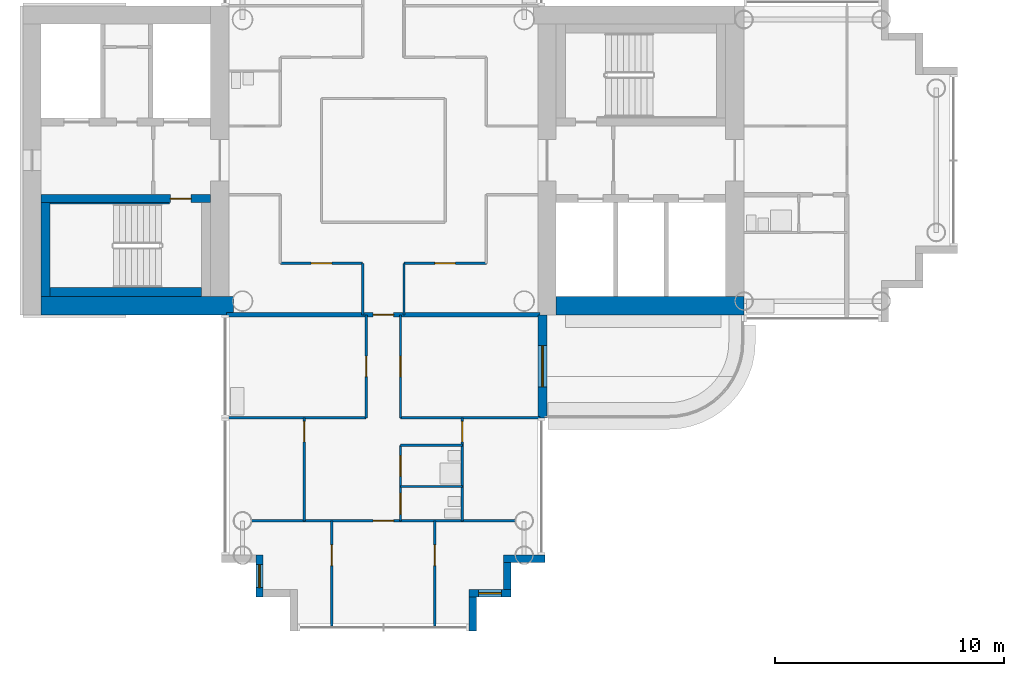
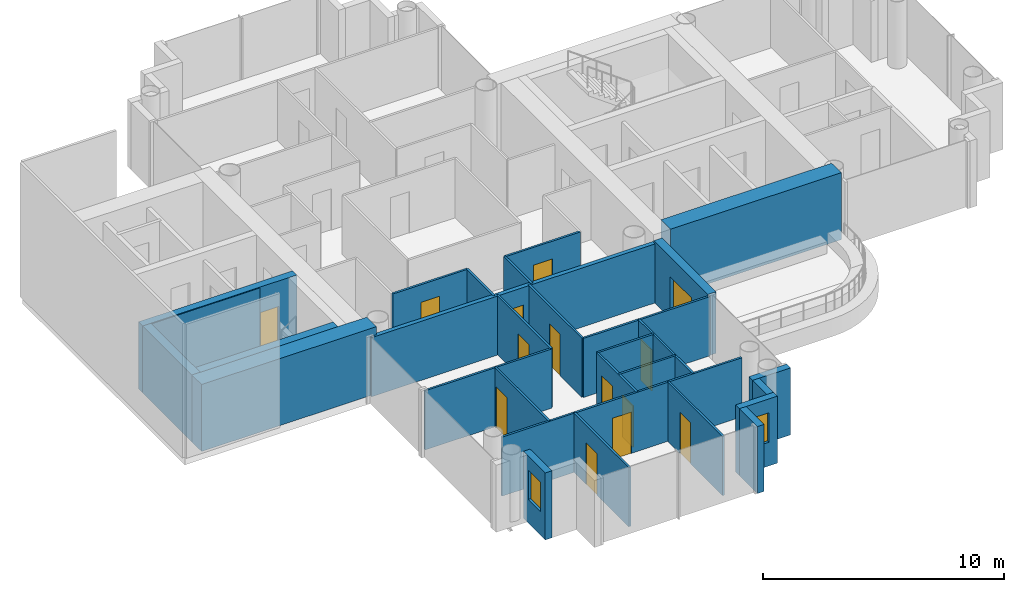
# One storey, part 7 of 19: 29 walls, 14 doors, 2 windows, 16 openings.
"""IFC4 building model written with IfcOpenShell, lengths in metres."""

from ifc_helpers import new_model, si_unit, direction, frame, frame_2d, origin, place, context, subcontext, project, spatial, rectangle, extrude, material, layer, layer_set, type_object, element, fill, save


model = new_model("IFC4")

# Units and contexts
model_context = context("Model", 3, precision=1e-05, world=origin(), true_north=direction((0.0, 1.0)))
body_context = subcontext(model_context, "Body", "Model", "MODEL_VIEW")
ifc_project = project(units=[si_unit("LENGTHUNIT", "METRE"), si_unit("AREAUNIT", "SQUARE_METRE"), si_unit("VOLUMEUNIT", "CUBIC_METRE"), si_unit("PLANEANGLEUNIT", "RADIAN"), si_unit("MASSUNIT", "GRAM", prefix="KILO")], contexts=[model_context])

# Site, building, storey
site_placement = place(None, origin())
site = spatial("IfcSite", under=ifc_project, at=site_placement, CompositionType="ELEMENT")
building_placement = place(site_placement, origin())
building = spatial("IfcBuilding", under=site, at=building_placement, Name="Ipe Terrace Towers", CompositionType="ELEMENT")
storey_placement = place(building_placement, frame((0.0, 0.0, 140.5)))
storey = spatial("IfcBuildingStorey", under=building, at=storey_placement, Name="L38", CompositionType="ELEMENT", Elevation=140.5)

# Wall, opening, door
ifc_material_1 = material(Name="Concrete C40/50 with buff precast cladding", Category="concrete")
ifc_layer_1 = layer(ifc_material_1, 0.39990234375)
ifc_layer_set_1 = layer_set([ifc_layer_1], Name="BALCONY BAY WALL 400")
wall_type_1 = type_object("IfcWallType", Name="BALCONY BAY WALL 400", PredefinedType="STANDARD", material=ifc_layer_set_1)
wall_1_placement = place(storey_placement, frame((-29.050048828125, -11.25, -0.02001953125), z_axis=(0.0, 0.0, 1.0), x_axis=(0.0, 1.0, 0.0)))
wall_1 = element("IfcWall", 1, at=wall_1_placement, inside=storey, type_object=wall_type_1, Name="T1-W-L38-14a wall", PredefinedType="STANDARD", context=body_context, shape_type="SweptSolid", body=[
    extrude(rectangle(XDim=4.5, YDim=0.39990234375, at=frame_2d((2.25, 0.0))), origin(), (0.0, 0.0, 1.0), 3.1201171875),
])
opening_1_placement = place(wall_1_placement, frame((1.35009765625, 0.0, 0.02001953125)))
opening_1 = element("IfcOpeningElement", 2, at=opening_1_placement, cuts=wall_1, Name="Opening T1-D-L38-14", PredefinedType="OPENING", context=body_context, shape_type="SweptSolid", body=[
    extrude(rectangle(XDim=1.800048828125, YDim=2.10009765625, at=frame_2d((0.89990234375, 1.050048828125))), frame((0.0, 0.2099609375, 0.0), z_axis=(0.0, -1.0, 0.0), x_axis=(1.0, 0.0, 0.0)), (0.0, 0.0, 1.0), 0.419921875),
])
ifc_material_2 = material(Name="Aluminium alloy 6063-T6 framed glazed door", Category="aluminium")
door_type_1 = type_object("IfcDoorType", Name="BALCONY DOOR 1800 x 2100 LEFT", OperationType="SINGLE_SWING_LEFT", PredefinedType="DOOR", material=ifc_material_2)
door_1_placement = place(opening_1_placement, origin())
door_1 = element("IfcDoor", 3, at=door_1_placement, inside=storey, type_object=door_type_1, Name="DB1 door", OperationType="SINGLE_SWING_LEFT", OverallHeight=2.10009765625, OverallWidth=1.800048828125, PredefinedType="DOOR", context=body_context, shape_type="SweptSolid", body=[
    extrude(rectangle(XDim=1.800048828125, YDim=2.10009765625, at=frame_2d((0.89990234375, 1.050048828125))), frame((0.0, 0.02490234375, 0.0), z_axis=(0.0, -1.0, 0.0), x_axis=(1.0, 0.0, 0.0)), (0.0, 0.0, 1.0), 0.050048828125),
])
fill(opening_1, door_1)

# Wall, opening, window
ifc_material_3 = material(Name="Concrete C40/50 with buff precast cladding", Category="concrete")
ifc_layer_2 = layer(ifc_material_3, 0.320068359375)
ifc_layer_set_2 = layer_set([ifc_layer_2], Name="BUFF CLADDING WALL 320")
wall_type_2 = type_object("IfcWallType", Name="BUFF CLADDING WALL 320", PredefinedType="STANDARD", material=ifc_layer_set_2)
wall_2_placement = place(storey_placement, frame((-41.409912109375, -17.25, -0.300048828125), z_axis=(0.0, 0.0, 1.0), x_axis=(0.0, -1.0, 0.0)))
wall_2 = element("IfcWall", 4, at=wall_2_placement, inside=storey, type_object=wall_type_2, Name="T1-W-L38-05a wall", PredefinedType="STANDARD", context=body_context, shape_type="SweptSolid", body=[
    extrude(rectangle(XDim=1.820068359375, YDim=0.320068359375, at=frame_2d((0.91015625, 0.0))), origin(), (0.0, 0.0, 1.0), 3.400146484375),
])
opening_2_placement = place(wall_2_placement, frame((0.409912109375, 0.0, 1.199951171875)))
opening_2 = element("IfcOpeningElement", 5, at=opening_2_placement, cuts=wall_2, Name="Opening T1-W-05-L38-02", PredefinedType="OPENING", context=body_context, shape_type="SweptSolid", body=[
    extrude(rectangle(XDim=1.0, YDim=1.5, at=frame_2d((0.5, 0.75))), frame((0.0, 0.169921875, 0.0), z_axis=(0.0, -1.0, 0.0), x_axis=(1.0, 0.0, 0.0)), (0.0, 0.0, 1.0), 0.340087890625),
])
ifc_material_4 = material(Name="Glass, clear laminated", Category="glass")
window_type = type_object("IfcWindowType", Name="DWELLING WINDOW 1000 x 1500", PartitioningType="SINGLE_PANEL", PredefinedType="WINDOW", material=ifc_material_4)
window_1_placement = place(opening_2_placement, origin())
window_1 = element("IfcWindow", 6, at=window_1_placement, inside=storey, type_object=window_type, Name="W-05 window", OverallHeight=1.5, OverallWidth=1.0, PartitioningType="SINGLE_PANEL", PredefinedType="WINDOW", context=body_context, shape_type="SweptSolid", body=[
    extrude(rectangle(XDim=1.0, YDim=1.5, at=frame_2d((0.5, 0.75))), frame((0.0, 0.030029296875, 0.0), z_axis=(0.0, -1.0, 0.0), x_axis=(1.0, 0.0, 0.0)), (0.0, 0.0, 1.0), 0.06005859375),
])
fill(opening_2, window_1)

# Wall
wall_3_placement = place(storey_placement, frame((-32.090087890625, -20.570068359375, -0.300048828125), z_axis=(0.0, 0.0, 1.0), x_axis=(0.0, 1.0, 0.0)))
element("IfcWall", 7, at=wall_3_placement, inside=storey, type_object=wall_type_2, Name="T1-W-L38-09a wall", PredefinedType="STANDARD", context=body_context, shape_type="SweptSolid", body=[
    extrude(rectangle(XDim=1.5, YDim=0.320068359375, at=frame_2d((0.75, 0.0))), origin(), (0.0, 0.0, 1.0), 3.400146484375),
])

# Wall, opening, window
wall_4_placement = place(storey_placement, frame((-32.25, -18.909912109375, -0.300048828125), z_axis=(0.0, 0.0, 1.0), x_axis=(1.0, 0.0, 0.0)))
wall_4 = element("IfcWall", 8, at=wall_4_placement, inside=storey, type_object=wall_type_2, Name="T1-W-L38-10a wall", PredefinedType="STANDARD", context=body_context, shape_type="SweptSolid", body=[
    extrude(rectangle(XDim=1.820068359375, YDim=0.320068359375, at=frame_2d((0.91015625, 0.0))), origin(), (0.0, 0.0, 1.0), 3.400146484375),
])
opening_3_placement = place(wall_4_placement, frame((0.409912109375, 0.0, 1.199951171875)))
opening_3 = element("IfcOpeningElement", 9, at=opening_3_placement, cuts=wall_4, Name="Opening T1-W-05-L38-01", PredefinedType="OPENING", context=body_context, shape_type="SweptSolid", body=[
    extrude(rectangle(XDim=1.0, YDim=1.5, at=frame_2d((0.5, 0.75))), frame((0.0, 0.169921875, 0.0), z_axis=(0.0, -1.0, 0.0), x_axis=(1.0, 0.0, 0.0)), (0.0, 0.0, 1.0), 0.340087890625),
])
window_2_placement = place(opening_3_placement, origin())
window_2 = element("IfcWindow", 10, at=window_2_placement, inside=storey, type_object=window_type, Name="W-05 window", OverallHeight=1.5, OverallWidth=1.0, PartitioningType="SINGLE_PANEL", PredefinedType="WINDOW", context=body_context, shape_type="SweptSolid", body=[
    extrude(rectangle(XDim=1.0, YDim=1.5, at=frame_2d((0.5, 0.75))), frame((0.0, 0.030029296875, 0.0), z_axis=(0.0, -1.0, 0.0), x_axis=(1.0, 0.0, 0.0)), (0.0, 0.0, 1.0), 0.06005859375),
])
fill(opening_3, window_2)

# Walls
wall_5_placement = place(storey_placement, frame((-30.590087890625, -18.75, -0.300048828125), z_axis=(0.0, 0.0, 1.0), x_axis=(0.0, 1.0, 0.0)))
element("IfcWall", 11, at=wall_5_placement, inside=storey, type_object=wall_type_2, Name="T1-W-L38-11a wall", PredefinedType="STANDARD", context=body_context, shape_type="SweptSolid", body=[
    extrude(rectangle(XDim=1.179931640625, YDim=0.320068359375, at=frame_2d((0.58984375, 0.0))), origin(), (0.0, 0.0, 1.0), 3.400146484375),
])
wall_6_placement = place(storey_placement, frame((-30.75, -17.409912109375, -0.300048828125), z_axis=(0.0, 0.0, 1.0), x_axis=(1.0, 0.0, 0.0)))
element("IfcWall", 12, at=wall_6_placement, inside=storey, type_object=wall_type_2, Name="T1-W-L38-12a wall", PredefinedType="STANDARD", context=body_context, shape_type="SweptSolid", body=[
    extrude(rectangle(XDim=1.820068359375, YDim=0.320068359375, at=frame_2d((0.91015625, 0.0))), origin(), (0.0, 0.0, 1.0), 3.400146484375),
])

# Wall, opening, door
ifc_material_5 = material(Name="Gypsum board partition", Category="plasterboard")
ifc_layer_3 = layer(ifc_material_5, 0.10009765625)
ifc_layer_set_3 = layer_set([ifc_layer_3], Name="Gypsum board partition 100 mm")
wall_type_3 = type_object("IfcWallType", Name="Gypsum board partition 100 mm", PredefinedType="PARTITIONING", material=ifc_layer_set_3)
wall_7_placement = place(storey_placement, frame((-39.449951171875, -15.75, 0.0), z_axis=(0.0, 0.0, 1.0), x_axis=(0.0, 1.0, 0.0)))
wall_7 = element("IfcWall", 13, at=wall_7_placement, inside=storey, type_object=wall_type_3, Name="Gypsum board partition T1 L38 W03", PredefinedType="PARTITIONING", context=body_context, shape_type="SweptSolid", body=[
    extrude(rectangle(XDim=4.5, YDim=0.10009765625, at=frame_2d((2.25, 0.0))), origin(), (0.0, 0.0, 1.0), 3.0),
])
opening_4_placement = place(wall_7_placement, frame((3.449951171875, 0.0, 0.0)))
opening_4 = element("IfcOpeningElement", 14, at=opening_4_placement, cuts=wall_7, Name="Opening T1-Z3A-16", PredefinedType="OPENING", context=body_context, shape_type="SweptSolid", body=[
    extrude(rectangle(XDim=0.89990234375, YDim=2.10009765625, at=frame_2d((0.449951171875, 1.050048828125))), frame((0.0, 0.06005859375, 0.0), z_axis=(0.0, -1.0, 0.0), x_axis=(1.0, 0.0, 0.0)), (0.0, 0.0, 1.0), 0.1201171875),
])
ifc_material_6 = material(Name="Timber door leaf", Category="wood")
door_type_2 = type_object("IfcDoorType", Name="Bedroom door 900 x 2100", OperationType="NOTDEFINED", PredefinedType="DOOR", material=ifc_material_6)
door_2_placement = place(opening_4_placement, origin())
door_2 = element("IfcDoor", 15, at=door_2_placement, inside=storey, type_object=door_type_2, Name="Bedroom door T1-Z3A-16", OperationType="SINGLE_SWING_LEFT", OverallHeight=2.10009765625, OverallWidth=0.89990234375, PredefinedType="DOOR", context=body_context, shape_type="SweptSolid", body=[
    extrude(rectangle(XDim=0.89990234375, YDim=2.10009765625, at=frame_2d((0.449951171875, 1.050048828125))), frame((0.0, 0.02490234375, 0.0), z_axis=(0.0, -1.0, 0.0), x_axis=(1.0, 0.0, 0.0)), (0.0, 0.0, 1.0), 0.050048828125),
])
fill(opening_4, door_2)

wall_8_placement = place(storey_placement, frame((-38.25, -20.35009765625, 0.0), z_axis=(0.0, 0.0, 1.0), x_axis=(0.0, 1.0, 0.0)))
wall_8 = element("IfcWall", 16, at=wall_8_placement, inside=storey, type_object=wall_type_3, Name="Gypsum board partition T1 L38 W05", PredefinedType="PARTITIONING", context=body_context, shape_type="SweptSolid", body=[
    extrude(rectangle(XDim=4.60009765625, YDim=0.10009765625, at=frame_2d((2.300048828125, 0.0))), origin(), (0.0, 0.0, 1.0), 3.0),
])
opening_5_placement = place(wall_8_placement, frame((2.64990234375, 0.0, 0.0)))
opening_5 = element("IfcOpeningElement", 17, at=opening_5_placement, cuts=wall_8, Name="Opening T1-Z3A-19", PredefinedType="OPENING", context=body_context, shape_type="SweptSolid", body=[
    extrude(rectangle(XDim=0.89990234375, YDim=2.10009765625, at=frame_2d((0.449951171875, 1.050048828125))), frame((0.0, 0.06005859375, 0.0), z_axis=(0.0, -1.0, 0.0), x_axis=(1.0, 0.0, 0.0)), (0.0, 0.0, 1.0), 0.1201171875),
])
door_3_placement = place(opening_5_placement, origin())
door_3 = element("IfcDoor", 18, at=door_3_placement, inside=storey, type_object=door_type_2, Name="Bedroom door T1-Z3A-19", OperationType="SINGLE_SWING_LEFT", OverallHeight=2.10009765625, OverallWidth=0.89990234375, PredefinedType="DOOR", context=body_context, shape_type="SweptSolid", body=[
    extrude(rectangle(XDim=0.89990234375, YDim=2.10009765625, at=frame_2d((0.449951171875, 1.050048828125))), frame((0.0, 0.02490234375, 0.0), z_axis=(0.0, -1.0, 0.0), x_axis=(1.0, 0.0, 0.0)), (0.0, 0.0, 1.0), 0.050048828125),
])
fill(opening_5, door_3)

# Wall
wall_9_placement = place(storey_placement, frame((-36.89990234375, -6.75, 0.0), z_axis=(0.0, 0.0, 1.0), x_axis=(0.0, 1.0, 0.0)))
element("IfcWall", 19, at=wall_9_placement, inside=storey, type_object=wall_type_3, Name="Gypsum board partition T1 L38 W06", PredefinedType="PARTITIONING", context=body_context, shape_type="SweptSolid", body=[
    extrude(rectangle(XDim=2.25, YDim=0.10009765625, at=frame_2d((1.125, 0.0))), origin(), (0.0, 0.0, 1.0), 3.0),
])

# Wall, opening, door
wall_10_placement = place(storey_placement, frame((-36.75, -11.25, 0.0), z_axis=(0.0, 0.0, 1.0), x_axis=(0.0, 1.0, 0.0)))
wall_10 = element("IfcWall", 20, at=wall_10_placement, inside=storey, type_object=wall_type_3, Name="Gypsum board partition T1 L38 W08", PredefinedType="PARTITIONING", context=body_context, shape_type="SweptSolid", body=[
    extrude(rectangle(XDim=4.5, YDim=0.10009765625, at=frame_2d((2.25, 0.0))), origin(), (0.0, 0.0, 1.0), 3.0),
])
opening_6_placement = place(wall_10_placement, frame((1.800048828125, 0.0, 0.0)))
opening_6 = element("IfcOpeningElement", 21, at=opening_6_placement, cuts=wall_10, Name="Opening T1-Z3A-11", PredefinedType="OPENING", context=body_context, shape_type="SweptSolid", body=[
    extrude(rectangle(XDim=0.89990234375, YDim=2.10009765625, at=frame_2d((0.449951171875, 1.050048828125))), frame((0.0, 0.06005859375, 0.0), z_axis=(0.0, -1.0, 0.0), x_axis=(1.0, 0.0, 0.0)), (0.0, 0.0, 1.0), 0.1201171875),
])
ifc_material_7 = material(Name="Timber door leaf", Category="wood")
door_type_3 = type_object("IfcDoorType", Name="Lounge door 900 x 2100", OperationType="NOTDEFINED", PredefinedType="DOOR", material=ifc_material_7)
door_4_placement = place(opening_6_placement, origin())
door_4 = element("IfcDoor", 22, at=door_4_placement, inside=storey, type_object=door_type_3, Name="Lounge door T1-Z3A-11", OperationType="SINGLE_SWING_LEFT", OverallHeight=2.10009765625, OverallWidth=0.89990234375, PredefinedType="DOOR", context=body_context, shape_type="SweptSolid", body=[
    extrude(rectangle(XDim=0.89990234375, YDim=2.10009765625, at=frame_2d((0.449951171875, 1.050048828125))), frame((0.0, 0.02490234375, 0.0), z_axis=(0.0, -1.0, 0.0), x_axis=(1.0, 0.0, 0.0)), (0.0, 0.0, 1.0), 0.050048828125),
])
fill(opening_6, door_4)

# Wall, openings, doors
wall_11_placement = place(storey_placement, frame((-35.25, -15.75, 0.0), z_axis=(0.0, 0.0, 1.0), x_axis=(0.0, 1.0, 0.0)))
wall_11 = element("IfcWall", 23, at=wall_11_placement, inside=storey, type_object=wall_type_3, Name="Gypsum board partition T1 L38 W09", PredefinedType="PARTITIONING", context=body_context, shape_type="SweptSolid", body=[
    extrude(rectangle(XDim=3.300048828125, YDim=0.10009765625, at=frame_2d((1.64990234375, 0.0))), origin(), (0.0, 0.0, 1.0), 3.0),
])
opening_7_placement = place(wall_11_placement, frame((1.949951171875, 0.0, 0.0)))
opening_7 = element("IfcOpeningElement", 24, at=opening_7_placement, cuts=wall_11, Name="Opening T1-Z3A-13", PredefinedType="OPENING", context=body_context, shape_type="SweptSolid", body=[
    extrude(rectangle(XDim=0.89990234375, YDim=2.10009765625, at=frame_2d((0.449951171875, 1.050048828125))), frame((0.0, 0.06005859375, 0.0), z_axis=(0.0, -1.0, 0.0), x_axis=(1.0, 0.0, 0.0)), (0.0, 0.0, 1.0), 0.1201171875),
])
opening_8_placement = place(wall_11_placement, frame((0.300048828125, 0.0, 0.0)))
opening_8 = element("IfcOpeningElement", 25, at=opening_8_placement, cuts=wall_11, Name="Opening T1-Z3A-14", PredefinedType="OPENING", context=body_context, shape_type="SweptSolid", body=[
    extrude(rectangle(XDim=0.89990234375, YDim=2.10009765625, at=frame_2d((0.449951171875, 1.050048828125))), frame((0.0, 0.06005859375, 0.0), z_axis=(0.0, -1.0, 0.0), x_axis=(1.0, 0.0, 0.0)), (0.0, 0.0, 1.0), 0.1201171875),
])
ifc_material_8 = material(Name="Timber door leaf", Category="wood")
door_type_4 = type_object("IfcDoorType", Name="Bathroom door 900 x 2100", OperationType="NOTDEFINED", PredefinedType="DOOR", material=ifc_material_8)
door_5_placement = place(opening_7_placement, origin())
door_5 = element("IfcDoor", 26, at=door_5_placement, inside=storey, type_object=door_type_4, Name="Bathroom door T1-Z3A-13", OperationType="SINGLE_SWING_RIGHT", OverallHeight=2.10009765625, OverallWidth=0.89990234375, PredefinedType="DOOR", context=body_context, shape_type="SweptSolid", body=[
    extrude(rectangle(XDim=0.89990234375, YDim=2.10009765625, at=frame_2d((0.449951171875, 1.050048828125))), frame((0.0, 0.02490234375, 0.0), z_axis=(0.0, -1.0, 0.0), x_axis=(1.0, 0.0, 0.0)), (0.0, 0.0, 1.0), 0.050048828125),
])
fill(opening_7, door_5)
door_6_placement = place(opening_8_placement, origin())
door_6 = element("IfcDoor", 27, at=door_6_placement, inside=storey, type_object=door_type_4, Name="Bathroom door T1-Z3A-14", OperationType="SINGLE_SWING_LEFT", OverallHeight=2.10009765625, OverallWidth=0.89990234375, PredefinedType="DOOR", context=body_context, shape_type="SweptSolid", body=[
    extrude(rectangle(XDim=0.89990234375, YDim=2.10009765625, at=frame_2d((0.449951171875, 1.050048828125))), frame((0.0, 0.02490234375, 0.0), z_axis=(0.0, -1.0, 0.0), x_axis=(1.0, 0.0, 0.0)), (0.0, 0.0, 1.0), 0.050048828125),
])
fill(opening_8, door_6)

# Wall, opening, door
wall_12_placement = place(storey_placement, frame((-35.25, -11.25, 0.0), z_axis=(0.0, 0.0, 1.0), x_axis=(0.0, 1.0, 0.0)))
wall_12 = element("IfcWall", 28, at=wall_12_placement, inside=storey, type_object=wall_type_3, Name="Gypsum board partition T1 L38 W10", PredefinedType="PARTITIONING", context=body_context, shape_type="SweptSolid", body=[
    extrude(rectangle(XDim=4.5, YDim=0.10009765625, at=frame_2d((2.25, 0.0))), origin(), (0.0, 0.0, 1.0), 3.0),
])
opening_9_placement = place(wall_12_placement, frame((1.800048828125, 0.0, 0.0)))
opening_9 = element("IfcOpeningElement", 29, at=opening_9_placement, cuts=wall_12, Name="Opening T1-Z3A-10", PredefinedType="OPENING", context=body_context, shape_type="SweptSolid", body=[
    extrude(rectangle(XDim=0.89990234375, YDim=2.10009765625, at=frame_2d((0.449951171875, 1.050048828125))), frame((0.0, 0.06005859375, 0.0), z_axis=(0.0, -1.0, 0.0), x_axis=(1.0, 0.0, 0.0)), (0.0, 0.0, 1.0), 0.1201171875),
])
door_7_placement = place(opening_9_placement, origin())
door_7 = element("IfcDoor", 30, at=door_7_placement, inside=storey, type_object=door_type_3, Name="Lounge door T1-Z3A-10", OperationType="SINGLE_SWING_RIGHT", OverallHeight=2.10009765625, OverallWidth=0.89990234375, PredefinedType="DOOR", context=body_context, shape_type="SweptSolid", body=[
    extrude(rectangle(XDim=0.89990234375, YDim=2.10009765625, at=frame_2d((0.449951171875, 1.050048828125))), frame((0.0, 0.02490234375, 0.0), z_axis=(0.0, -1.0, 0.0), x_axis=(1.0, 0.0, 0.0)), (0.0, 0.0, 1.0), 0.050048828125),
])
fill(opening_9, door_7)

# Wall
wall_13_placement = place(storey_placement, frame((-35.10009765625, -6.75, 0.0), z_axis=(0.0, 0.0, 1.0), x_axis=(0.0, 1.0, 0.0)))
element("IfcWall", 31, at=wall_13_placement, inside=storey, type_object=wall_type_3, Name="Gypsum board partition T1 L38 W11", PredefinedType="PARTITIONING", context=body_context, shape_type="SweptSolid", body=[
    extrude(rectangle(XDim=2.25, YDim=0.10009765625, at=frame_2d((1.125, 0.0))), origin(), (0.0, 0.0, 1.0), 3.0),
])

# Wall, opening, door
wall_14_placement = place(storey_placement, frame((-33.75, -20.35009765625, 0.0), z_axis=(0.0, 0.0, 1.0), x_axis=(0.0, 1.0, 0.0)))
wall_14 = element("IfcWall", 32, at=wall_14_placement, inside=storey, type_object=wall_type_3, Name="Gypsum board partition T1 L38 W13", PredefinedType="PARTITIONING", context=body_context, shape_type="SweptSolid", body=[
    extrude(rectangle(XDim=4.60009765625, YDim=0.10009765625, at=frame_2d((2.300048828125, 0.0))), origin(), (0.0, 0.0, 1.0), 3.0),
])
opening_10_placement = place(wall_14_placement, frame((2.64990234375, 0.0, 0.0)))
opening_10 = element("IfcOpeningElement", 33, at=opening_10_placement, cuts=wall_14, Name="Opening T1-Z3A-18", PredefinedType="OPENING", context=body_context, shape_type="SweptSolid", body=[
    extrude(rectangle(XDim=0.89990234375, YDim=2.10009765625, at=frame_2d((0.449951171875, 1.050048828125))), frame((0.0, 0.06005859375, 0.0), z_axis=(0.0, -1.0, 0.0), x_axis=(1.0, 0.0, 0.0)), (0.0, 0.0, 1.0), 0.1201171875),
])
door_8_placement = place(opening_10_placement, origin())
door_8 = element("IfcDoor", 34, at=door_8_placement, inside=storey, type_object=door_type_2, Name="Bedroom door T1-Z3A-18", OperationType="SINGLE_SWING_RIGHT", OverallHeight=2.10009765625, OverallWidth=0.89990234375, PredefinedType="DOOR", context=body_context, shape_type="SweptSolid", body=[
    extrude(rectangle(XDim=0.89990234375, YDim=2.10009765625, at=frame_2d((0.449951171875, 1.050048828125))), frame((0.0, 0.02490234375, 0.0), z_axis=(0.0, -1.0, 0.0), x_axis=(1.0, 0.0, 0.0)), (0.0, 0.0, 1.0), 0.050048828125),
])
fill(opening_10, door_8)

wall_15_placement = place(storey_placement, frame((-32.550048828125, -15.75, 0.0), z_axis=(0.0, 0.0, 1.0), x_axis=(0.0, 1.0, 0.0)))
wall_15 = element("IfcWall", 35, at=wall_15_placement, inside=storey, type_object=wall_type_3, Name="Gypsum board partition T1 L38 W15", PredefinedType="PARTITIONING", context=body_context, shape_type="SweptSolid", body=[
    extrude(rectangle(XDim=4.5, YDim=0.10009765625, at=frame_2d((2.25, 0.0))), origin(), (0.0, 0.0, 1.0), 3.0),
])
opening_11_placement = place(wall_15_placement, frame((3.449951171875, 0.0, 0.0)))
opening_11 = element("IfcOpeningElement", 36, at=opening_11_placement, cuts=wall_15, Name="Opening T1-Z3A-15", PredefinedType="OPENING", context=body_context, shape_type="SweptSolid", body=[
    extrude(rectangle(XDim=0.89990234375, YDim=2.10009765625, at=frame_2d((0.449951171875, 1.050048828125))), frame((0.0, 0.06005859375, 0.0), z_axis=(0.0, -1.0, 0.0), x_axis=(1.0, 0.0, 0.0)), (0.0, 0.0, 1.0), 0.1201171875),
])
door_9_placement = place(opening_11_placement, origin())
door_9 = element("IfcDoor", 37, at=door_9_placement, inside=storey, type_object=door_type_2, Name="Bedroom door T1-Z3A-15", OperationType="SINGLE_SWING_RIGHT", OverallHeight=2.10009765625, OverallWidth=0.89990234375, PredefinedType="DOOR", context=body_context, shape_type="SweptSolid", body=[
    extrude(rectangle(XDim=0.89990234375, YDim=2.10009765625, at=frame_2d((0.449951171875, 1.050048828125))), frame((0.0, 0.02490234375, 0.0), z_axis=(0.0, -1.0, 0.0), x_axis=(1.0, 0.0, 0.0)), (0.0, 0.0, 1.0), 0.050048828125),
])
fill(opening_11, door_9)

wall_16_placement = place(storey_placement, frame((-41.75, -15.75, 0.0), z_axis=(0.0, 0.0, 1.0), x_axis=(1.0, 0.0, 0.0)))
wall_16 = element("IfcWall", 38, at=wall_16_placement, inside=storey, type_object=wall_type_3, Name="Gypsum board partition T1 L38 W21", PredefinedType="PARTITIONING", context=body_context, shape_type="SweptSolid", body=[
    extrude(rectangle(XDim=11.5, YDim=0.10009765625, at=frame_2d((5.75, 0.0))), origin(), (0.0, 0.0, 1.0), 3.0),
])
opening_12_placement = place(wall_16_placement, frame((5.300048828125, 0.0, 0.0)))
opening_12 = element("IfcOpeningElement", 39, at=opening_12_placement, cuts=wall_16, Name="Opening T1-Z3A-17", PredefinedType="OPENING", context=body_context, shape_type="SweptSolid", body=[
    extrude(rectangle(XDim=0.89990234375, YDim=2.10009765625, at=frame_2d((0.449951171875, 1.050048828125))), frame((0.0, 0.06005859375, 0.0), z_axis=(0.0, -1.0, 0.0), x_axis=(1.0, 0.0, 0.0)), (0.0, 0.0, 1.0), 0.1201171875),
])
door_10_placement = place(opening_12_placement, origin())
door_10 = element("IfcDoor", 40, at=door_10_placement, inside=storey, type_object=door_type_3, Name="Lounge door T1-Z3A-17", OperationType="SINGLE_SWING_RIGHT", OverallHeight=2.10009765625, OverallWidth=0.89990234375, PredefinedType="DOOR", context=body_context, shape_type="SweptSolid", body=[
    extrude(rectangle(XDim=0.89990234375, YDim=2.10009765625, at=frame_2d((0.449951171875, 1.050048828125))), frame((0.0, 0.02490234375, 0.0), z_axis=(0.0, -1.0, 0.0), x_axis=(1.0, 0.0, 0.0)), (0.0, 0.0, 1.0), 0.050048828125),
])
fill(opening_12, door_10)

# Walls
for number, where, z_axis, x_axis, name in (
    (41, (-35.25, -14.25, 0.0), (0.0, 0.0, 1.0), (1.0, 0.0, 0.0), "Gypsum board partition T1 L38 W22"),
    (42, (-35.25, -12.449951171875, 0.0), (0.0, 0.0, 1.0), (1.0, 0.0, 0.0), "Gypsum board partition T1 L38 W23"),
):
    element("IfcWall", number, at=place(storey_placement, frame(where, z_axis=z_axis, x_axis=x_axis)), inside=storey, type_object=wall_type_3, Name=name, PredefinedType="PARTITIONING", context=body_context, shape_type="SweptSolid", body=[
        extrude(rectangle(XDim=2.699951171875, YDim=0.10009765625, at=frame_2d((1.35009765625, 0.0))), origin(), (0.0, 0.0, 1.0), 3.0),
    ])
for number, where, z_axis, x_axis, name in (
    (43, (-42.85009765625, -11.25, 0.0), (0.0, 0.0, 1.0), (1.0, 0.0, 0.0), "Gypsum board partition T1 L38 W24"),
    (44, (-35.25, -11.25, 0.0), (0.0, 0.0, 1.0), (1.0, 0.0, 0.0), "Gypsum board partition T1 L38 W25"),
):
    element("IfcWall", number, at=place(storey_placement, frame(where, z_axis=z_axis, x_axis=x_axis)), inside=storey, type_object=wall_type_3, Name=name, PredefinedType="PARTITIONING", context=body_context, shape_type="SweptSolid", body=[
        extrude(rectangle(XDim=6.10009765625, YDim=0.10009765625, at=frame_2d((3.050048828125, 0.0))), origin(), (0.0, 0.0, 1.0), 3.0),
    ])

# Wall, opening, door
wall_17_placement = place(storey_placement, frame((-40.5, -4.5, 0.0), z_axis=(0.0, 0.0, 1.0), x_axis=(1.0, 0.0, 0.0)))
wall_17 = element("IfcWall", 45, at=wall_17_placement, inside=storey, type_object=wall_type_3, Name="Gypsum board partition T1 L38 W27", PredefinedType="PARTITIONING", context=body_context, shape_type="SweptSolid", body=[
    extrude(rectangle(XDim=3.60009765625, YDim=0.10009765625, at=frame_2d((1.800048828125, 0.0))), origin(), (0.0, 0.0, 1.0), 3.0),
])
opening_13_placement = place(wall_17_placement, frame((1.35009765625, 0.0, 0.0)))
opening_13 = element("IfcOpeningElement", 46, at=opening_13_placement, cuts=wall_17, Name="Opening T1-Z3A-05", PredefinedType="OPENING", context=body_context, shape_type="SweptSolid", body=[
    extrude(rectangle(XDim=0.89990234375, YDim=2.10009765625, at=frame_2d((0.449951171875, 1.050048828125))), frame((0.0, 0.06005859375, 0.0), z_axis=(0.0, -1.0, 0.0), x_axis=(1.0, 0.0, 0.0)), (0.0, 0.0, 1.0), 0.1201171875),
])
door_11_placement = place(opening_13_placement, origin())
door_11 = element("IfcDoor", 47, at=door_11_placement, inside=storey, type_object=door_type_3, Name="Lounge door T1-Z3A-05", OperationType="SINGLE_SWING_RIGHT", OverallHeight=2.10009765625, OverallWidth=0.89990234375, PredefinedType="DOOR", context=body_context, shape_type="SweptSolid", body=[
    extrude(rectangle(XDim=0.89990234375, YDim=2.10009765625, at=frame_2d((0.449951171875, 1.050048828125))), frame((0.0, 0.02490234375, 0.0), z_axis=(0.0, -1.0, 0.0), x_axis=(1.0, 0.0, 0.0)), (0.0, 0.0, 1.0), 0.050048828125),
])
fill(opening_13, door_11)

wall_18_placement = place(storey_placement, frame((-35.10009765625, -4.5, 0.0), z_axis=(0.0, 0.0, 1.0), x_axis=(1.0, 0.0, 0.0)))
wall_18 = element("IfcWall", 48, at=wall_18_placement, inside=storey, type_object=wall_type_3, Name="Gypsum board partition T1 L38 W28", PredefinedType="PARTITIONING", context=body_context, shape_type="SweptSolid", body=[
    extrude(rectangle(XDim=3.60009765625, YDim=0.10009765625, at=frame_2d((1.800048828125, 0.0))), origin(), (0.0, 0.0, 1.0), 3.0),
])
opening_14_placement = place(wall_18_placement, frame((1.35009765625, 0.0, 0.0)))
opening_14 = element("IfcOpeningElement", 49, at=opening_14_placement, cuts=wall_18, Name="Opening T1-Z3A-06", PredefinedType="OPENING", context=body_context, shape_type="SweptSolid", body=[
    extrude(rectangle(XDim=0.89990234375, YDim=2.10009765625, at=frame_2d((0.449951171875, 1.050048828125))), frame((0.0, 0.06005859375, 0.0), z_axis=(0.0, -1.0, 0.0), x_axis=(1.0, 0.0, 0.0)), (0.0, 0.0, 1.0), 0.1201171875),
])
door_12_placement = place(opening_14_placement, origin())
door_12 = element("IfcDoor", 50, at=door_12_placement, inside=storey, type_object=door_type_3, Name="Lounge door T1-Z3A-06", OperationType="SINGLE_SWING_LEFT", OverallHeight=2.10009765625, OverallWidth=0.89990234375, PredefinedType="DOOR", context=body_context, shape_type="SweptSolid", body=[
    extrude(rectangle(XDim=0.89990234375, YDim=2.10009765625, at=frame_2d((0.449951171875, 1.050048828125))), frame((0.0, 0.02490234375, 0.0), z_axis=(0.0, -1.0, 0.0), x_axis=(1.0, 0.0, 0.0)), (0.0, 0.0, 1.0), 0.050048828125),
])
fill(opening_14, door_12)

ifc_material_9 = material(Name="Gypsum board party wall", Category="plasterboard")
ifc_layer_4 = layer(ifc_material_9, 0.199951171875)
ifc_layer_set_4 = layer_set([ifc_layer_4], Name="Gypsum board party wall 200 mm")
wall_type_4 = type_object("IfcWallType", Name="Gypsum board party wall 200 mm", PredefinedType="SOLIDWALL", material=ifc_layer_set_4)
wall_19_placement = place(storey_placement, frame((-42.85009765625, -6.75, 0.0), z_axis=(0.0, 0.0, 1.0), x_axis=(1.0, 0.0, 0.0)))
wall_19 = element("IfcWall", 51, at=wall_19_placement, inside=storey, type_object=wall_type_4, Name="Gypsum board party wall T1 L38 W26", PredefinedType="SOLIDWALL", context=body_context, shape_type="SweptSolid", body=[
    extrude(rectangle(XDim=13.7001953125, YDim=0.199951171875, at=frame_2d((6.85009765625, 0.0))), origin(), (0.0, 0.0, 1.0), 3.0),
])
opening_15_placement = place(wall_19_placement, frame((6.39990234375, 0.0, 0.0)))
opening_15 = element("IfcOpeningElement", 52, at=opening_15_placement, cuts=wall_19, Name="Opening T1-Z3A-12", PredefinedType="OPENING", context=body_context, shape_type="SweptSolid", body=[
    extrude(rectangle(XDim=0.89990234375, YDim=2.10009765625, at=frame_2d((0.449951171875, 1.050048828125))), frame((0.0, 0.10986328125, 0.0), z_axis=(0.0, -1.0, 0.0), x_axis=(1.0, 0.0, 0.0)), (0.0, 0.0, 1.0), 0.219970703125),
])
ifc_material_10 = material(Name="Fire-rated timber door leaf", Category="wood")
door_type_5 = type_object("IfcDoorType", Name="Flat entrance door 900 x 2100 FD30S", OperationType="NOTDEFINED", PredefinedType="DOOR", material=ifc_material_10)
door_13_placement = place(opening_15_placement, origin())
door_13 = element("IfcDoor", 53, at=door_13_placement, inside=storey, type_object=door_type_5, Name="Flat entrance door T1-Z3A-12", OperationType="SINGLE_SWING_RIGHT", OverallHeight=2.10009765625, OverallWidth=0.89990234375, PredefinedType="DOOR", context=body_context, shape_type="SweptSolid", body=[
    extrude(rectangle(XDim=0.89990234375, YDim=2.10009765625, at=frame_2d((0.449951171875, 1.050048828125))), frame((0.0, 0.02490234375, 0.0), z_axis=(0.0, -1.0, 0.0), x_axis=(1.0, 0.0, 0.0)), (0.0, 0.0, 1.0), 0.050048828125),
])
fill(opening_15, door_13)

ifc_material_11 = material(Name="Concrete C50/60", Category="concrete")
ifc_layer_5 = layer(ifc_material_11, 0.35009765625)
ifc_layer_set_5 = layer_set([ifc_layer_5], Name="RW350 CORE SPINE WALL 350 C50-60")
wall_type_5 = type_object("IfcWallType", Name="RW350 CORE SPINE WALL 350 C50-60", PredefinedType="SHEAR", material=ifc_layer_set_5)
wall_20_placement = place(storey_placement, frame((-50.949951171875, -1.675048828125, 0.0), z_axis=(0.0, 0.0, 1.0), x_axis=(1.0, 0.0, 0.0)))
wall_20 = element("IfcWall", 54, at=wall_20_placement, inside=storey, type_object=wall_type_5, Name="Core spine wall T1-C2-Z3-SW1", PredefinedType="SHEAR", context=body_context, shape_type="SweptSolid", body=[
    extrude(rectangle(XDim=7.39990234375, YDim=0.35009765625, at=frame_2d((3.699951171875, 0.0))), origin(), (0.0, 0.0, 1.0), 3.39990234375),
])
opening_16_placement = place(wall_20_placement, frame((5.64990234375, 0.0, 0.0)))
opening_16 = element("IfcOpeningElement", 55, at=opening_16_placement, cuts=wall_20, Name="Opening T1C2-SD", PredefinedType="OPENING", context=body_context, shape_type="SweptSolid", body=[
    extrude(rectangle(XDim=0.89990234375, YDim=2.10009765625, at=frame_2d((0.449951171875, 1.050048828125))), frame((0.0, 0.18505859375, 0.0), z_axis=(0.0, -1.0, 0.0), x_axis=(1.0, 0.0, 0.0)), (0.0, 0.0, 1.0), 0.3701171875),
])
ifc_material_12 = material(Name="Fire-rated timber door leaf", Category="wood")
door_type_6 = type_object("IfcDoorType", Name="Stair door 900 x 2100 FD60", OperationType="NOTDEFINED", PredefinedType="DOOR", material=ifc_material_12)
door_14_placement = place(opening_16_placement, origin())
door_14 = element("IfcDoor", 56, at=door_14_placement, inside=storey, type_object=door_type_6, Name="Stair door T1C2-SD", OperationType="SINGLE_SWING_RIGHT", OverallHeight=2.10009765625, OverallWidth=0.89990234375, PredefinedType="DOOR", context=body_context, shape_type="SweptSolid", body=[
    extrude(rectangle(XDim=0.89990234375, YDim=2.10009765625, at=frame_2d((0.449951171875, 1.050048828125))), frame((0.0, 0.02490234375, 0.0), z_axis=(0.0, -1.0, 0.0), x_axis=(1.0, 0.0, 0.0)), (0.0, 0.0, 1.0), 0.050048828125),
])
fill(opening_16, door_14)

# Walls
ifc_material_13 = material(Name="Concrete C50/60", Category="concrete")
ifc_layer_6 = layer(ifc_material_13, 0.39990234375)
ifc_layer_set_6 = layer_set([ifc_layer_6], Name="RW400 CORE INFILL WALL 400 C50-60")
wall_type_6 = type_object("IfcWallType", Name="RW400 CORE INFILL WALL 400 C50-60", PredefinedType="SHEAR", material=ifc_layer_set_6)
wall_21_placement = place(storey_placement, frame((-50.75, -1.85009765625, 0.0), z_axis=(0.0, 0.0, 1.0), x_axis=(0.0, -1.0, 0.0)))
element("IfcWall", 57, at=wall_21_placement, inside=storey, type_object=wall_type_6, Name="Core infill wall T1-C2-far", PredefinedType="SHEAR", context=body_context, shape_type="SweptSolid", body=[
    extrude(rectangle(XDim=4.099853515625, YDim=0.39990234375, at=frame_2d((2.0498046875, 0.0))), origin(), (0.0, 0.0, 1.0), 3.39990234375),
])
wall_22_placement = place(storey_placement, frame((-43.949951171875, -5.75, 0.0), z_axis=(0.0, 0.0, 1.0), x_axis=(-1.0, 0.0, 0.0)))
element("IfcWall", 58, at=wall_22_placement, inside=storey, type_object=wall_type_6, Name="Core infill wall T1-C2-back", PredefinedType="SHEAR", context=body_context, shape_type="SweptSolid", body=[
    extrude(rectangle(XDim=6.60009765625, YDim=0.39990234375, at=frame_2d((3.300048828125, 0.0))), origin(), (0.0, 0.0, 1.0), 3.39990234375),
])
ifc_material_14 = material(Name="Concrete C50/60", Category="concrete")
ifc_layer_7 = layer(ifc_material_14, 0.050048828125)
ifc_layer_set_7 = layer_set([ifc_layer_7], Name="RW50 CORE INFILL WALL 50 C50-60")
wall_type_7 = type_object("IfcWallType", Name="RW50 CORE INFILL WALL 50 C50-60", PredefinedType="SHEAR", material=ifc_layer_set_7)
wall_23_placement = place(storey_placement, frame((-45.35009765625, -1.875, 0.0), z_axis=(0.0, 0.0, 1.0), x_axis=(-1.0, 0.0, 0.0)))
element("IfcWall", 59, at=wall_23_placement, inside=storey, type_object=wall_type_7, Name="Core infill wall T1-C2-spine-b", PredefinedType="SHEAR", context=body_context, shape_type="SweptSolid", body=[
    extrude(rectangle(XDim=5.199951171875, YDim=0.050048828125, at=frame_2d((2.60009765625, 0.0))), origin(), (0.0, 0.0, 1.0), 3.39990234375),
])
ifc_material_15 = material(Name="Concrete C50/60", Category="concrete")
ifc_layer_8 = layer(ifc_material_15, 0.800048828125)
ifc_layer_set_8 = layer_set([ifc_layer_8], Name="RW800 CORE WALL 800 C50-60")
wall_type_8 = type_object("IfcWallType", Name="RW800 CORE WALL 800 C50-60", PredefinedType="SHEAR", material=ifc_layer_set_8)
wall_24_placement = place(storey_placement, frame((-28.449951171875, -6.35009765625, 0.0), z_axis=(0.0, 0.0, 1.0), x_axis=(1.0, 0.0, 0.0)))
element("IfcWall", 60, at=wall_24_placement, inside=storey, type_object=wall_type_8, Name="Core wall T1-C1-Z3-W01", PredefinedType="SHEAR", context=body_context, shape_type="SweptSolid", body=[
    extrude(rectangle(XDim=8.199951171875, YDim=0.800048828125, at=frame_2d((4.10009765625, 0.0))), origin(), (0.0, 0.0, 1.0), 3.39990234375),
])
wall_25_placement = place(storey_placement, frame((-50.949951171875, -6.35009765625, 0.0), z_axis=(0.0, 0.0, 1.0), x_axis=(1.0, 0.0, 0.0)))
element("IfcWall", 61, at=wall_25_placement, inside=storey, type_object=wall_type_8, Name="Core wall T1-C2-Z3-W01", PredefinedType="SHEAR", context=body_context, shape_type="SweptSolid", body=[
    extrude(rectangle(XDim=8.39794921875, YDim=0.800048828125, at=frame_2d((4.198974609375, 0.0))), origin(), (0.0, 0.0, 1.0), 3.39990234375),
])

save(model, "model.ifc")
